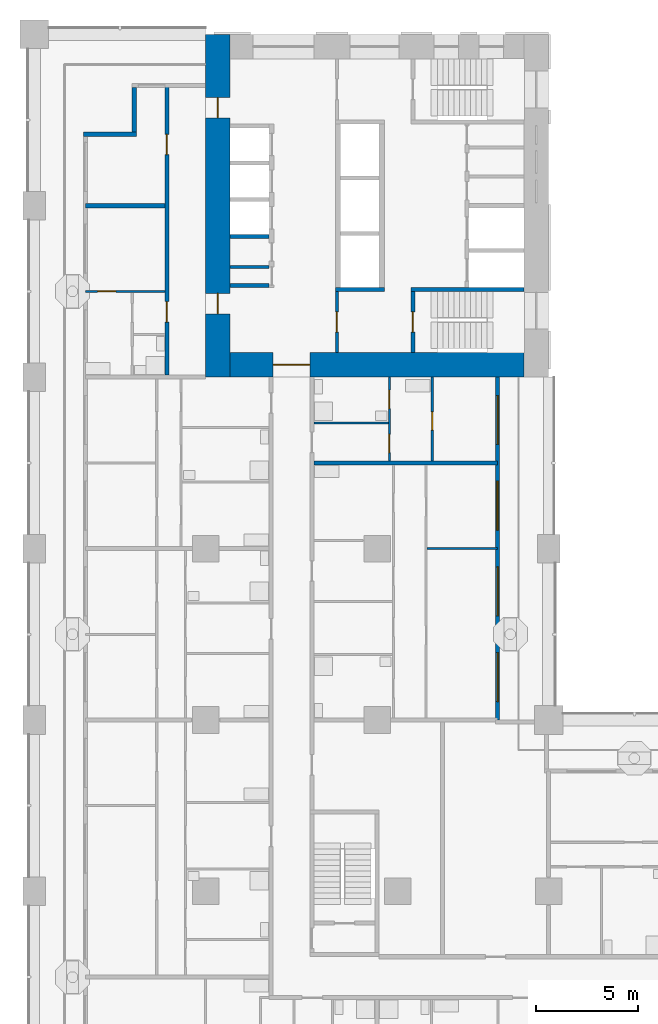
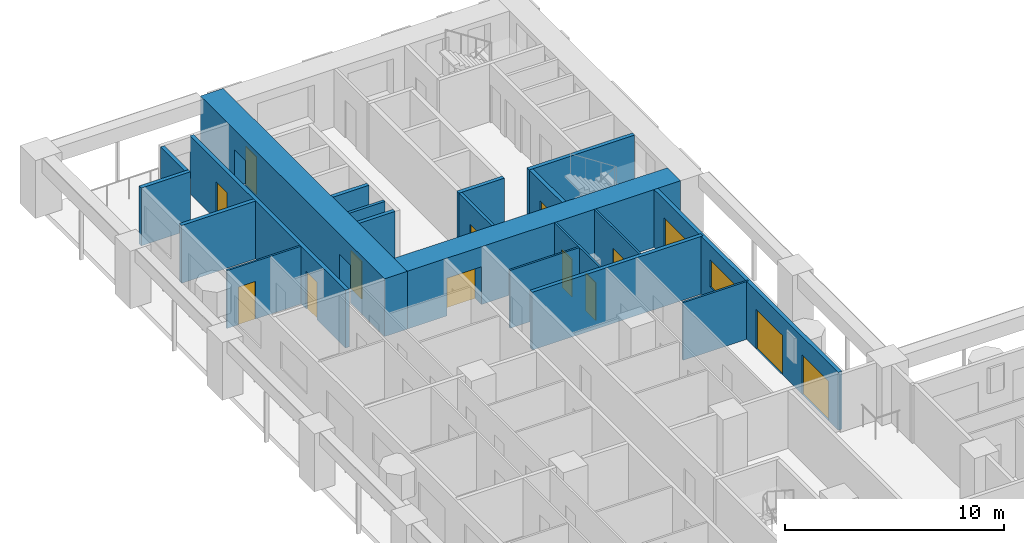
# One storey, part 9 of 22: 20 walls, 14 doors, 1 window, 15 openings.
"""IFC4 building model written with IfcOpenShell, lengths in metres."""

from ifc_helpers import new_model, si_unit, direction, frame, frame_2d, origin, place, context, subcontext, project, spatial, rectangle, extrude, material, layer, layer_set, type_object, element, fill, save


model = new_model("IFC4")

# Units and contexts
model_context = context("Model", 3, precision=1e-05, world=origin(), true_north=direction((0.0, 1.0)))
body_context = subcontext(model_context, "Body", "Model", "MODEL_VIEW")
ifc_project = project(units=[si_unit("LENGTHUNIT", "METRE"), si_unit("AREAUNIT", "SQUARE_METRE"), si_unit("VOLUMEUNIT", "CUBIC_METRE"), si_unit("PLANEANGLEUNIT", "RADIAN"), si_unit("MASSUNIT", "GRAM", prefix="KILO")], contexts=[model_context])

# Site, building, storey
site_placement = place(None, origin())
site = spatial("IfcSite", under=ifc_project, at=site_placement, CompositionType="ELEMENT")
building_placement = place(site_placement, origin())
building = spatial("IfcBuilding", under=site, at=building_placement, Name="Vermilion Gate Residences", CompositionType="ELEMENT")
storey_placement = place(building_placement, frame((0.0, 0.0, 56.699951171875)))
storey = spatial("IfcBuildingStorey", under=building, at=storey_placement, Name="L13", CompositionType="ELEMENT", Elevation=56.699951171875)

# Wall
ifc_material_1 = material(Name="Masonry blockwork", Category="masonry")
ifc_layer_1 = layer(ifc_material_1, 0.14990234375)
ifc_layer_set_1 = layer_set([ifc_layer_1], Name="BLOCKWORK PARTITION 150 EI 120")
wall_type_1 = type_object("IfcWallType", Name="BLOCKWORK PARTITION 150 EI 120", PredefinedType="PARTITIONING", material=ifc_layer_set_1)
wall_1_placement = place(storey_placement, frame((9.60009765625, 47.392578125, 0.0), z_axis=(0.0, 0.0, 1.0), x_axis=(1.0, 0.0, 0.0)))
element("IfcWall", 1, at=wall_1_placement, inside=storey, type_object=wall_type_1, Name="Core room partition B13-SR-P0", PredefinedType="PARTITIONING", context=body_context, shape_type="SweptSolid", body=[
    extrude(rectangle(XDim=1.89990234375, YDim=0.14990234375, at=frame_2d((0.949951171875, 0.0))), origin(), (0.0, 0.0, 1.0), 3.219970703125),
])

# Wall, opening, door
wall_2_placement = place(storey_placement, frame((14.824951171875, 46.199951171875, 0.0), z_axis=(0.0, 0.0, 1.0), x_axis=(0.0, -1.0, 0.0)))
wall_2 = element("IfcWall", 2, at=wall_2_placement, inside=storey, type_object=wall_type_1, Name="Core room partition B13-VE-S", PredefinedType="PARTITIONING", context=body_context, shape_type="SweptSolid", body=[
    extrude(rectangle(XDim=3.0, YDim=0.14990234375, at=frame_2d((1.5, 0.0))), origin(), (0.0, 0.0, 1.0), 3.219970703125),
])
opening_1_placement = place(wall_2_placement, frame((1.0, 0.0, 0.0)))
opening_1 = element("IfcOpeningElement", 3, at=opening_1_placement, cuts=wall_2, Name="Opening DK13116", PredefinedType="OPENING", context=body_context, shape_type="SweptSolid", body=[
    extrude(rectangle(XDim=1.0, YDim=2.10009765625, at=frame_2d((0.5, 1.050048828125))), frame((0.0, 0.0849609375, 0.0), z_axis=(0.0, -1.0, 0.0), x_axis=(1.0, 0.0, 0.0)), (0.0, 0.0, 1.0), 0.169921875),
])
ifc_material_2 = material(Name="Steel", Category="steel")
door_type_1 = type_object("IfcDoorType", Name="FIRE DOOR FD60 1000 X 2100", OperationType="SINGLE_SWING_LEFT", PredefinedType="DOOR", material=ifc_material_2)
door_1_placement = place(opening_1_placement, frame((1.0, 0.0, 0.0), z_axis=(0.0, 0.0, 1.0), x_axis=(-1.0, 0.0, 0.0)))
door_1 = element("IfcDoor", 4, at=door_1_placement, inside=storey, type_object=door_type_1, Name="Stair vestibule door B13", OperationType="SINGLE_SWING_LEFT", OverallHeight=2.10009765625, OverallWidth=1.0, PredefinedType="DOOR", context=body_context, shape_type="SweptSolid", body=[
    extrude(rectangle(XDim=1.0, YDim=2.10009765625, at=frame_2d((0.5, 1.050048828125))), frame((0.0, 0.02490234375, 0.0), z_axis=(0.0, -1.0, 0.0), x_axis=(1.0, 0.0, 0.0)), (0.0, 0.0, 1.0), 0.050048828125),
])
fill(opening_1, door_1)

# Walls
ifc_material_3 = material(Name="Insulated steel stud wall with terracotta rainscreen", Category="masonry")
ifc_layer_2 = layer(ifc_material_3, 0.199951171875)
ifc_layer_set_2 = layer_set([ifc_layer_2], Name="EXTERNAL WALL 200 TERRACOTTA RAINSCREEN")
wall_type_2 = type_object("IfcWallType", Name="EXTERNAL WALL 200 TERRACOTTA RAINSCREEN", PredefinedType="SOLIDWALL", material=ifc_layer_set_2)
wall_3_placement = place(storey_placement, frame((4.89990234375, 56.199951171875, 0.0), z_axis=(0.0, 0.0, 1.0), x_axis=(0.0, -1.0, 0.0)))
element("IfcWall", 5, at=wall_3_placement, inside=storey, type_object=wall_type_2, Name="External wall", PredefinedType="SOLIDWALL", context=body_context, shape_type="SweptSolid", body=[
    extrude(rectangle(XDim=2.199951171875, YDim=0.199951171875, at=frame_2d((1.10009765625, 0.0))), origin(), (0.0, 0.0, 1.0), 3.219970703125),
])
wall_4_placement = place(storey_placement, frame((5.0, 53.89990234375, 0.0), z_axis=(0.0, 0.0, 1.0), x_axis=(-1.0, 0.0, 0.0)))
element("IfcWall", 6, at=wall_4_placement, inside=storey, type_object=wall_type_2, Name="External wall", PredefinedType="SOLIDWALL", context=body_context, shape_type="SweptSolid", body=[
    extrude(rectangle(XDim=2.60009765625, YDim=0.199951171875, at=frame_2d((1.300048828125, 0.0))), origin(), (0.0, 0.0, 1.0), 3.219970703125),
])

# Wall, openings, doors, window
wall_5_placement = place(storey_placement, frame((22.699951171875, 25.199951171875, 0.0), z_axis=(0.0, 0.0, 1.0), x_axis=(0.0, 1.0, 0.0)))
wall_5 = element("IfcWall", 7, at=wall_5_placement, inside=storey, type_object=wall_type_2, Name="External wall", PredefinedType="SOLIDWALL", context=body_context, shape_type="SweptSolid", body=[
    extrude(rectangle(XDim=16.800048828125, YDim=0.199951171875, at=frame_2d((8.39990234375, 0.0))), origin(), (0.0, 0.0, 1.0), 3.219970703125),
])
opening_2_placement = place(wall_5_placement, frame((0.89990234375, 0.0, 0.0)))
opening_2 = element("IfcOpeningElement", 8, at=opening_2_placement, cuts=wall_5, Name="Opening DE13037", PredefinedType="OPENING", context=body_context, shape_type="SweptSolid", body=[
    extrude(rectangle(XDim=2.39990234375, YDim=2.199951171875, at=frame_2d((1.199951171875, 1.10009765625))), frame((0.0, 0.10986328125, 0.0), z_axis=(0.0, -1.0, 0.0), x_axis=(1.0, 0.0, 0.0)), (0.0, 0.0, 1.0), 0.219970703125),
])
opening_3_placement = place(wall_5_placement, frame((5.10009765625, 0.0, 0.0)))
opening_3 = element("IfcOpeningElement", 9, at=opening_3_placement, cuts=wall_5, Name="Opening DE13038", PredefinedType="OPENING", context=body_context, shape_type="SweptSolid", body=[
    extrude(rectangle(XDim=2.39990234375, YDim=2.199951171875, at=frame_2d((1.199951171875, 1.10009765625))), frame((0.0, 0.10986328125, 0.0), z_axis=(0.0, -1.0, 0.0), x_axis=(1.0, 0.0, 0.0)), (0.0, 0.0, 1.0), 0.219970703125),
])
opening_4_placement = place(wall_5_placement, frame((9.300048828125, 0.0, 0.89990234375)))
opening_4 = element("IfcOpeningElement", 10, at=opening_4_placement, cuts=wall_5, Name="Opening WE13039", PredefinedType="OPENING", context=body_context, shape_type="SweptSolid", body=[
    extrude(rectangle(XDim=2.39990234375, YDim=1.5, at=frame_2d((1.199951171875, 0.75))), frame((0.0, 0.10986328125, 0.0), z_axis=(0.0, -1.0, 0.0), x_axis=(1.0, 0.0, 0.0)), (0.0, 0.0, 1.0), 0.219970703125),
])
opening_5_placement = place(wall_5_placement, frame((13.5, 0.0, 0.0)))
opening_5 = element("IfcOpeningElement", 11, at=opening_5_placement, cuts=wall_5, Name="Opening DE13040", PredefinedType="OPENING", context=body_context, shape_type="SweptSolid", body=[
    extrude(rectangle(XDim=2.39990234375, YDim=2.199951171875, at=frame_2d((1.199951171875, 1.10009765625))), frame((0.0, 0.10986328125, 0.0), z_axis=(0.0, -1.0, 0.0), x_axis=(1.0, 0.0, 0.0)), (0.0, 0.0, 1.0), 0.219970703125),
])
ifc_material_4 = material(Name="Aluminium and clear glass", Category="aluminium")
door_type_2 = type_object("IfcDoorType", Name="SLIDING GLAZED DOOR 2400 X 2200", OperationType="DOUBLE_DOOR_SLIDING", PredefinedType="DOOR", material=ifc_material_4)
door_2_placement = place(opening_2_placement, origin())
door_2 = element("IfcDoor", 12, at=door_2_placement, inside=storey, type_object=door_type_2, Name="Loggia sliding door", OperationType="DOUBLE_DOOR_SLIDING", OverallHeight=2.199951171875, OverallWidth=2.39990234375, PredefinedType="DOOR", context=body_context, shape_type="SweptSolid", body=[
    extrude(rectangle(XDim=2.39990234375, YDim=2.199951171875, at=frame_2d((1.199951171875, 1.10009765625))), frame((0.0, 0.02490234375, 0.0), z_axis=(0.0, -1.0, 0.0), x_axis=(1.0, 0.0, 0.0)), (0.0, 0.0, 1.0), 0.050048828125),
])
fill(opening_2, door_2)
door_3_placement = place(opening_3_placement, origin())
door_3 = element("IfcDoor", 13, at=door_3_placement, inside=storey, type_object=door_type_2, Name="Loggia sliding door", OperationType="DOUBLE_DOOR_SLIDING", OverallHeight=2.199951171875, OverallWidth=2.39990234375, PredefinedType="DOOR", context=body_context, shape_type="SweptSolid", body=[
    extrude(rectangle(XDim=2.39990234375, YDim=2.199951171875, at=frame_2d((1.199951171875, 1.10009765625))), frame((0.0, 0.02490234375, 0.0), z_axis=(0.0, -1.0, 0.0), x_axis=(1.0, 0.0, 0.0)), (0.0, 0.0, 1.0), 0.050048828125),
])
fill(opening_3, door_3)
door_4_placement = place(opening_5_placement, origin())
door_4 = element("IfcDoor", 14, at=door_4_placement, inside=storey, type_object=door_type_2, Name="Loggia sliding door", OperationType="DOUBLE_DOOR_SLIDING", OverallHeight=2.199951171875, OverallWidth=2.39990234375, PredefinedType="DOOR", context=body_context, shape_type="SweptSolid", body=[
    extrude(rectangle(XDim=2.39990234375, YDim=2.199951171875, at=frame_2d((1.199951171875, 1.10009765625))), frame((0.0, 0.02490234375, 0.0), z_axis=(0.0, -1.0, 0.0), x_axis=(1.0, 0.0, 0.0)), (0.0, 0.0, 1.0), 0.050048828125),
])
fill(opening_5, door_4)
ifc_material_5 = material(Name="Aluminium and clear glass", Category="aluminium")
window_type = type_object("IfcWindowType", Name="WINDOW 2400 X 1500", PartitioningType="SINGLE_PANEL", PredefinedType="WINDOW", material=ifc_material_5)
window_placement = place(opening_4_placement, origin())
window = element("IfcWindow", 15, at=window_placement, inside=storey, type_object=window_type, Name="Window", OverallHeight=1.5, OverallWidth=2.39990234375, PartitioningType="SINGLE_PANEL", PredefinedType="WINDOW", context=body_context, shape_type="SweptSolid", body=[
    extrude(rectangle(XDim=2.39990234375, YDim=1.5, at=frame_2d((1.199951171875, 0.75))), frame((0.0, 0.030029296875, 0.0), z_axis=(0.0, -1.0, 0.0), x_axis=(1.0, 0.0, 0.0)), (0.0, 0.0, 1.0), 0.06005859375),
])
fill(opening_4, window)

# Walls
ifc_material_6 = material(Name="Plasterboard on steel studs", Category="steel")
ifc_layer_3 = layer(ifc_material_6, 0.10009765625)
ifc_layer_set_3 = layer_set([ifc_layer_3], Name="PARTITION 100")
wall_type_3 = type_object("IfcWallType", Name="PARTITION 100", PredefinedType="PARTITIONING", material=ifc_layer_set_3)
wall_6_placement = place(storey_placement, frame((19.25, 33.60009765625, 0.0), z_axis=(0.0, 0.0, 1.0), x_axis=(1.0, 0.0, 0.0)))
element("IfcWall", 16, at=wall_6_placement, inside=storey, type_object=wall_type_3, Name="Partition", PredefinedType="PARTITIONING", context=body_context, shape_type="SweptSolid", body=[
    extrude(rectangle(XDim=3.449951171875, YDim=0.10009765625, at=frame_2d((1.72509765625, 0.0))), origin(), (0.0, 0.0, 1.0), 3.219970703125),
])
wall_7_placement = place(storey_placement, frame((13.699951171875, 39.760009765625, 0.0), z_axis=(0.0, 0.0, 1.0), x_axis=(1.0, 0.0, 0.0)))
element("IfcWall", 17, at=wall_7_placement, inside=storey, type_object=wall_type_3, Name="Partition", PredefinedType="PARTITIONING", context=body_context, shape_type="SweptSolid", body=[
    extrude(rectangle(XDim=3.650146484375, YDim=0.10009765625, at=frame_2d((1.8251953125, 0.0))), origin(), (0.0, 0.0, 1.0), 3.219970703125),
])

# Wall, opening, door
wall_8_placement = place(storey_placement, frame((2.5, 46.199951171875, 0.0), z_axis=(0.0, 0.0, 1.0), x_axis=(1.0, 0.0, 0.0)))
wall_8 = element("IfcWall", 18, at=wall_8_placement, inside=storey, type_object=wall_type_3, Name="Partition", PredefinedType="PARTITIONING", context=body_context, shape_type="SweptSolid", body=[
    extrude(rectangle(XDim=3.89990234375, YDim=0.10009765625, at=frame_2d((1.949951171875, 0.0))), origin(), (0.0, 0.0, 1.0), 3.219970703125),
])
opening_6_placement = place(wall_8_placement, frame((0.60009765625, 0.0, 0.0)))
opening_6 = element("IfcOpeningElement", 19, at=opening_6_placement, cuts=wall_8, Name="Opening DA13044", PredefinedType="OPENING", context=body_context, shape_type="SweptSolid", body=[
    extrude(rectangle(XDim=0.89990234375, YDim=2.10009765625, at=frame_2d((0.449951171875, 1.050048828125))), frame((0.0, 0.06005859375, 0.0), z_axis=(0.0, -1.0, 0.0), x_axis=(1.0, 0.0, 0.0)), (0.0, 0.0, 1.0), 0.1201171875),
])
ifc_material_7 = material(Name="Timber", Category="wood")
door_type_3 = type_object("IfcDoorType", Name="INTERIOR DOOR 900 X 2100", OperationType="SINGLE_SWING_LEFT", PredefinedType="DOOR", material=ifc_material_7)
door_5_placement = place(opening_6_placement, frame((0.89990234375, 0.0, 0.0), z_axis=(0.0, 0.0, 1.0), x_axis=(-1.0, 0.0, 0.0)))
door_5 = element("IfcDoor", 20, at=door_5_placement, inside=storey, type_object=door_type_3, Name="Interior door", OperationType="SINGLE_SWING_RIGHT", OverallHeight=2.10009765625, OverallWidth=0.89990234375, PredefinedType="DOOR", context=body_context, shape_type="SweptSolid", body=[
    extrude(rectangle(XDim=0.89990234375, YDim=2.10009765625, at=frame_2d((0.449951171875, 1.050048828125))), frame((0.0, 0.02490234375, 0.0), z_axis=(0.0, -1.0, 0.0), x_axis=(1.0, 0.0, 0.0)), (0.0, 0.0, 1.0), 0.050048828125),
])
fill(opening_6, door_5)

# Wall, openings, doors
wall_9_placement = place(storey_placement, frame((17.39990234375, 37.89990234375, 0.0), z_axis=(0.0, 0.0, 1.0), x_axis=(0.0, 1.0, 0.0)))
wall_9 = element("IfcWall", 21, at=wall_9_placement, inside=storey, type_object=wall_type_3, Name="Partition", PredefinedType="PARTITIONING", context=body_context, shape_type="SweptSolid", body=[
    extrude(rectangle(XDim=4.10009765625, YDim=0.10009765625, at=frame_2d((2.050048828125, 0.0))), origin(), (0.0, 0.0, 1.0), 3.219970703125),
])
opening_7_placement = place(wall_9_placement, frame((0.39990234375, 0.0, 0.0)))
opening_7 = element("IfcOpeningElement", 22, at=opening_7_placement, cuts=wall_9, Name="Opening DA13072", PredefinedType="OPENING", context=body_context, shape_type="SweptSolid", body=[
    extrude(rectangle(XDim=0.89990234375, YDim=2.10009765625, at=frame_2d((0.449951171875, 1.050048828125))), frame((0.0, 0.06005859375, 0.0), z_axis=(0.0, -1.0, 0.0), x_axis=(1.0, 0.0, 0.0)), (0.0, 0.0, 1.0), 0.1201171875),
])
opening_8_placement = place(wall_9_placement, frame((2.56005859375, 0.0, 0.0)))
opening_8 = element("IfcOpeningElement", 23, at=opening_8_placement, cuts=wall_9, Name="Opening DA13073", PredefinedType="OPENING", context=body_context, shape_type="SweptSolid", body=[
    extrude(rectangle(XDim=0.89990234375, YDim=2.10009765625, at=frame_2d((0.449951171875, 1.050048828125))), frame((0.0, 0.06005859375, 0.0), z_axis=(0.0, -1.0, 0.0), x_axis=(1.0, 0.0, 0.0)), (0.0, 0.0, 1.0), 0.1201171875),
])
door_6_placement = place(opening_7_placement, frame((0.89990234375, 0.0, 0.0), z_axis=(0.0, 0.0, 1.0), x_axis=(-1.0, 0.0, 0.0)))
door_6 = element("IfcDoor", 24, at=door_6_placement, inside=storey, type_object=door_type_3, Name="Interior door", OperationType="SINGLE_SWING_RIGHT", OverallHeight=2.10009765625, OverallWidth=0.89990234375, PredefinedType="DOOR", context=body_context, shape_type="SweptSolid", body=[
    extrude(rectangle(XDim=0.89990234375, YDim=2.10009765625, at=frame_2d((0.449951171875, 1.050048828125))), frame((0.0, 0.02490234375, 0.0), z_axis=(0.0, -1.0, 0.0), x_axis=(1.0, 0.0, 0.0)), (0.0, 0.0, 1.0), 0.050048828125),
])
fill(opening_7, door_6)
door_7_placement = place(opening_8_placement, origin())
door_7 = element("IfcDoor", 25, at=door_7_placement, inside=storey, type_object=door_type_3, Name="Interior door", OperationType="SINGLE_SWING_LEFT", OverallHeight=2.10009765625, OverallWidth=0.89990234375, PredefinedType="DOOR", context=body_context, shape_type="SweptSolid", body=[
    extrude(rectangle(XDim=0.89990234375, YDim=2.10009765625, at=frame_2d((0.449951171875, 1.050048828125))), frame((0.0, 0.02490234375, 0.0), z_axis=(0.0, -1.0, 0.0), x_axis=(1.0, 0.0, 0.0)), (0.0, 0.0, 1.0), 0.050048828125),
])
fill(opening_8, door_7)

# Wall, opening, door
wall_10_placement = place(storey_placement, frame((19.5, 37.89990234375, 0.0), z_axis=(0.0, 0.0, 1.0), x_axis=(0.0, 1.0, 0.0)))
wall_10 = element("IfcWall", 26, at=wall_10_placement, inside=storey, type_object=wall_type_3, Name="Partition", PredefinedType="PARTITIONING", context=body_context, shape_type="SweptSolid", body=[
    extrude(rectangle(XDim=4.10009765625, YDim=0.10009765625, at=frame_2d((2.050048828125, 0.0))), origin(), (0.0, 0.0, 1.0), 3.219970703125),
])
opening_9_placement = place(wall_10_placement, frame((1.5, 0.0, 0.0)))
opening_9 = element("IfcOpeningElement", 27, at=opening_9_placement, cuts=wall_10, Name="Opening DA13080", PredefinedType="OPENING", context=body_context, shape_type="SweptSolid", body=[
    extrude(rectangle(XDim=0.89990234375, YDim=2.10009765625, at=frame_2d((0.449951171875, 1.050048828125))), frame((0.0, 0.06005859375, 0.0), z_axis=(0.0, -1.0, 0.0), x_axis=(1.0, 0.0, 0.0)), (0.0, 0.0, 1.0), 0.1201171875),
])
door_8_placement = place(opening_9_placement, origin())
door_8 = element("IfcDoor", 28, at=door_8_placement, inside=storey, type_object=door_type_3, Name="Interior door", OperationType="SINGLE_SWING_RIGHT", OverallHeight=2.10009765625, OverallWidth=0.89990234375, PredefinedType="DOOR", context=body_context, shape_type="SweptSolid", body=[
    extrude(rectangle(XDim=0.89990234375, YDim=2.10009765625, at=frame_2d((0.449951171875, 1.050048828125))), frame((0.0, 0.02490234375, 0.0), z_axis=(0.0, -1.0, 0.0), x_axis=(1.0, 0.0, 0.0)), (0.0, 0.0, 1.0), 0.050048828125),
])
fill(opening_9, door_8)

# Walls
ifc_material_8 = material(Name="Fire-rated plasterboard on steel studs", Category="steel")
ifc_layer_4 = layer(ifc_material_8, 0.199951171875)
ifc_layer_set_4 = layer_set([ifc_layer_4], Name="PARTY WALL 200 EI 120")
wall_type_4 = type_object("IfcWallType", Name="PARTY WALL 200 EI 120", PredefinedType="PARTITIONING", material=ifc_layer_set_4)
wall_11_placement = place(storey_placement, frame((13.699951171875, 37.800048828125, 0.0), z_axis=(0.0, 0.0, 1.0), x_axis=(1.0, 0.0, 0.0)))
element("IfcWall", 29, at=wall_11_placement, inside=storey, type_object=wall_type_4, Name="Party and corridor wall", PredefinedType="PARTITIONING", context=body_context, shape_type="SweptSolid", body=[
    extrude(rectangle(XDim=9.0, YDim=0.199951171875, at=frame_2d((4.5, 0.0))), origin(), (0.0, 0.0, 1.0), 3.219970703125),
])
wall_12_placement = place(storey_placement, frame((2.5, 50.39990234375, 0.0), z_axis=(0.0, 0.0, 1.0), x_axis=(1.0, 0.0, 0.0)))
element("IfcWall", 30, at=wall_12_placement, inside=storey, type_object=wall_type_4, Name="Party and corridor wall", PredefinedType="PARTITIONING", context=body_context, shape_type="SweptSolid", body=[
    extrude(rectangle(XDim=3.89990234375, YDim=0.199951171875, at=frame_2d((1.949951171875, 0.0))), origin(), (0.0, 0.0, 1.0), 3.219970703125),
])

# Wall, openings, doors
wall_13_placement = place(storey_placement, frame((6.5, 42.10009765625, 0.0), z_axis=(0.0, 0.0, 1.0), x_axis=(0.0, 1.0, 0.0)))
wall_13 = element("IfcWall", 31, at=wall_13_placement, inside=storey, type_object=wall_type_4, Name="Party and corridor wall", PredefinedType="PARTITIONING", context=body_context, shape_type="SweptSolid", body=[
    extrude(rectangle(XDim=14.199951171875, YDim=0.199951171875, at=frame_2d((7.10009765625, 0.0))), origin(), (0.0, 0.0, 1.0), 3.219970703125),
])
opening_10_placement = place(wall_13_placement, frame((2.60009765625, 0.0, 0.0)))
opening_10 = element("IfcOpeningElement", 32, at=opening_10_placement, cuts=wall_13, Name="Opening DA13053", PredefinedType="OPENING", context=body_context, shape_type="SweptSolid", body=[
    extrude(rectangle(XDim=1.0, YDim=2.10009765625, at=frame_2d((0.5, 1.050048828125))), frame((0.0, 0.10986328125, 0.0), z_axis=(0.0, -1.0, 0.0), x_axis=(1.0, 0.0, 0.0)), (0.0, 0.0, 1.0), 0.219970703125),
])
opening_11_placement = place(wall_13_placement, frame((10.800048828125, 0.0, 0.0)))
opening_11 = element("IfcOpeningElement", 33, at=opening_11_placement, cuts=wall_13, Name="Opening DA13054", PredefinedType="OPENING", context=body_context, shape_type="SweptSolid", body=[
    extrude(rectangle(XDim=1.0, YDim=2.10009765625, at=frame_2d((0.5, 1.050048828125))), frame((0.0, 0.10986328125, 0.0), z_axis=(0.0, -1.0, 0.0), x_axis=(1.0, 0.0, 0.0)), (0.0, 0.0, 1.0), 0.219970703125),
])
ifc_material_9 = material(Name="Steel", Category="steel")
door_type_4 = type_object("IfcDoorType", Name="ENTRANCE DOOR 1000 X 2100 FD30", OperationType="SINGLE_SWING_LEFT", PredefinedType="DOOR", material=ifc_material_9)
door_9_placement = place(opening_10_placement, origin())
door_9 = element("IfcDoor", 34, at=door_9_placement, inside=storey, type_object=door_type_4, Name="Entrance door", OperationType="SINGLE_SWING_RIGHT", OverallHeight=2.10009765625, OverallWidth=1.0, PredefinedType="DOOR", context=body_context, shape_type="SweptSolid", body=[
    extrude(rectangle(XDim=1.0, YDim=2.10009765625, at=frame_2d((0.5, 1.050048828125))), frame((0.0, 0.02490234375, 0.0), z_axis=(0.0, -1.0, 0.0), x_axis=(1.0, 0.0, 0.0)), (0.0, 0.0, 1.0), 0.050048828125),
])
fill(opening_10, door_9)
door_10_placement = place(opening_11_placement, origin())
door_10 = element("IfcDoor", 35, at=door_10_placement, inside=storey, type_object=door_type_4, Name="Entrance door", OperationType="SINGLE_SWING_RIGHT", OverallHeight=2.10009765625, OverallWidth=1.0, PredefinedType="DOOR", context=body_context, shape_type="SweptSolid", body=[
    extrude(rectangle(XDim=1.0, YDim=2.10009765625, at=frame_2d((0.5, 1.050048828125))), frame((0.0, 0.02490234375, 0.0), z_axis=(0.0, -1.0, 0.0), x_axis=(1.0, 0.0, 0.0)), (0.0, 0.0, 1.0), 0.050048828125),
])
fill(opening_11, door_10)

# Walls
ifc_material_10 = material(Name="Concrete C60", Category="concrete")
ifc_layer_5 = layer(ifc_material_10, 0.199951171875)
ifc_layer_set_5 = layer_set([ifc_layer_5], Name="RC CORE INTERNAL WALL 200 C60")
wall_type_5 = type_object("IfcWallType", Name="RC CORE INTERNAL WALL 200 C60", PredefinedType="SHEAR", material=ifc_layer_set_5)
for number, where, z_axis, x_axis, name in (
    (36, (9.60009765625, 48.89990234375, 0.0), (0.0, 0.0, 1.0), (1.0, 0.0, 0.0), "Core internal wall B13-LR-D3"),
    (37, (9.60009765625, 46.5, 0.0), (0.0, 0.0, 1.0), (1.0, 0.0, 0.0), "Core internal wall B13-LR-DE"),
):
    element("IfcWall", number, at=place(storey_placement, frame(where, z_axis=z_axis, x_axis=x_axis)), inside=storey, type_object=wall_type_5, Name=name, PredefinedType="SHEAR", context=body_context, shape_type="SweptSolid", body=[
        extrude(rectangle(XDim=1.89990234375, YDim=0.199951171875, at=frame_2d((0.949951171875, 0.0))), origin(), (0.0, 0.0, 1.0), 3.219970703125),
    ])
wall_14_placement = place(storey_placement, frame((14.75, 46.300048828125, 0.0), z_axis=(0.0, 0.0, 1.0), x_axis=(1.0, 0.0, 0.0)))
element("IfcWall", 38, at=wall_14_placement, inside=storey, type_object=wall_type_5, Name="Core internal wall B13-EDIV1", PredefinedType="SHEAR", context=body_context, shape_type="SweptSolid", body=[
    extrude(rectangle(XDim=2.39990234375, YDim=0.199951171875, at=frame_2d((1.199951171875, 0.0))), origin(), (0.0, 0.0, 1.0), 3.219970703125),
])
wall_15_placement = place(storey_placement, frame((18.449951171875, 46.300048828125, 0.0), z_axis=(0.0, 0.0, 1.0), x_axis=(1.0, 0.0, 0.0)))
element("IfcWall", 39, at=wall_15_placement, inside=storey, type_object=wall_type_5, Name="Core internal wall B13-EDIV2", PredefinedType="SHEAR", context=body_context, shape_type="SweptSolid", body=[
    extrude(rectangle(XDim=5.550048828125, YDim=0.199951171875, at=frame_2d((2.77490234375, 0.0))), origin(), (0.0, 0.0, 1.0), 3.219970703125),
])

# Wall, opening, door
wall_16_placement = place(storey_placement, frame((18.550048828125, 46.199951171875, 0.0), z_axis=(0.0, 0.0, 1.0), x_axis=(0.0, -1.0, 0.0)))
wall_16 = element("IfcWall", 40, at=wall_16_placement, inside=storey, type_object=wall_type_5, Name="Core internal wall B13-STE-S", PredefinedType="SHEAR", context=body_context, shape_type="SweptSolid", body=[
    extrude(rectangle(XDim=3.0, YDim=0.199951171875, at=frame_2d((1.5, 0.0))), origin(), (0.0, 0.0, 1.0), 3.219970703125),
])
opening_12_placement = place(wall_16_placement, frame((1.0, 0.0, 0.0)))
opening_12 = element("IfcOpeningElement", 41, at=opening_12_placement, cuts=wall_16, Name="Opening DK13117", PredefinedType="OPENING", context=body_context, shape_type="SweptSolid", body=[
    extrude(rectangle(XDim=1.0, YDim=2.10009765625, at=frame_2d((0.5, 1.050048828125))), frame((0.0, 0.10986328125, 0.0), z_axis=(0.0, -1.0, 0.0), x_axis=(1.0, 0.0, 0.0)), (0.0, 0.0, 1.0), 0.219970703125),
])
door_11_placement = place(opening_12_placement, origin())
door_11 = element("IfcDoor", 42, at=door_11_placement, inside=storey, type_object=door_type_1, Name="Stair door B13", OperationType="SINGLE_SWING_LEFT", OverallHeight=2.10009765625, OverallWidth=1.0, PredefinedType="DOOR", context=body_context, shape_type="SweptSolid", body=[
    extrude(rectangle(XDim=1.0, YDim=2.10009765625, at=frame_2d((0.5, 1.050048828125))), frame((0.0, 0.02490234375, 0.0), z_axis=(0.0, -1.0, 0.0), x_axis=(1.0, 0.0, 0.0)), (0.0, 0.0, 1.0), 0.050048828125),
])
fill(opening_12, door_11)

# Wall, openings, doors
ifc_material_11 = material(Name="Concrete C80", Category="concrete")
ifc_layer_6 = layer(ifc_material_11, 1.199951171875)
ifc_layer_set_6 = layer_set([ifc_layer_6], Name="RC CORE WALL 1200 C80")
wall_type_6 = type_object("IfcWallType", Name="RC CORE WALL 1200 C80", PredefinedType="SHEAR", material=ifc_layer_set_6)
wall_17_placement = place(storey_placement, frame((9.0, 58.800048828125, 0.0), z_axis=(0.0, 0.0, 1.0), x_axis=(0.0, -1.0, 0.0)))
wall_17 = element("IfcWall", 43, at=wall_17_placement, inside=storey, type_object=wall_type_6, Name="Core wall B13-OUT-B0", PredefinedType="SHEAR", context=body_context, shape_type="SweptSolid", body=[
    extrude(rectangle(XDim=16.800048828125, YDim=1.199951171875, at=frame_2d((8.39990234375, 0.0))), origin(), (0.0, 0.0, 1.0), 3.219970703125),
])
opening_13_placement = place(wall_17_placement, frame((3.10009765625, 0.0, 0.0)))
opening_13 = element("IfcOpeningElement", 44, at=opening_13_placement, cuts=wall_17, Name="Opening DK13101", PredefinedType="OPENING", context=body_context, shape_type="SweptSolid", body=[
    extrude(rectangle(XDim=1.0, YDim=2.10009765625, at=frame_2d((0.5, 1.050048828125))), frame((0.0, 0.60986328125, 0.0), z_axis=(0.0, -1.0, 0.0), x_axis=(1.0, 0.0, 0.0)), (0.0, 0.0, 1.0), 1.219970703125),
])
opening_14_placement = place(wall_17_placement, frame((12.699951171875, 0.0, 0.0)))
opening_14 = element("IfcOpeningElement", 45, at=opening_14_placement, cuts=wall_17, Name="Opening DK13102", PredefinedType="OPENING", context=body_context, shape_type="SweptSolid", body=[
    extrude(rectangle(XDim=1.0, YDim=2.10009765625, at=frame_2d((0.5, 1.050048828125))), frame((0.0, 0.60986328125, 0.0), z_axis=(0.0, -1.0, 0.0), x_axis=(1.0, 0.0, 0.0)), (0.0, 0.0, 1.0), 1.219970703125),
])
door_12_placement = place(opening_13_placement, origin())
door_12 = element("IfcDoor", 46, at=door_12_placement, inside=storey, type_object=door_type_1, Name="Core lobby side door B13", OperationType="SINGLE_SWING_RIGHT", OverallHeight=2.10009765625, OverallWidth=1.0, PredefinedType="DOOR", context=body_context, shape_type="SweptSolid", body=[
    extrude(rectangle(XDim=1.0, YDim=2.10009765625, at=frame_2d((0.5, 1.050048828125))), frame((0.0, 0.02490234375, 0.0), z_axis=(0.0, -1.0, 0.0), x_axis=(1.0, 0.0, 0.0)), (0.0, 0.0, 1.0), 0.050048828125),
])
fill(opening_13, door_12)
door_13_placement = place(opening_14_placement, origin())
door_13 = element("IfcDoor", 47, at=door_13_placement, inside=storey, type_object=door_type_1, Name="Core lobby side door B13", OperationType="SINGLE_SWING_LEFT", OverallHeight=2.10009765625, OverallWidth=1.0, PredefinedType="DOOR", context=body_context, shape_type="SweptSolid", body=[
    extrude(rectangle(XDim=1.0, YDim=2.10009765625, at=frame_2d((0.5, 1.050048828125))), frame((0.0, 0.02490234375, 0.0), z_axis=(0.0, -1.0, 0.0), x_axis=(1.0, 0.0, 0.0)), (0.0, 0.0, 1.0), 0.050048828125),
])
fill(opening_14, door_13)

# Wall, opening, door
wall_18_placement = place(storey_placement, frame((9.60009765625, 42.60009765625, 0.0), z_axis=(0.0, 0.0, 1.0), x_axis=(1.0, 0.0, 0.0)))
wall_18 = element("IfcWall", 48, at=wall_18_placement, inside=storey, type_object=wall_type_6, Name="Core wall B13-OUT-BK", PredefinedType="SHEAR", context=body_context, shape_type="SweptSolid", body=[
    extrude(rectangle(XDim=14.39990234375, YDim=1.199951171875, at=frame_2d((7.199951171875, 0.0))), origin(), (0.0, 0.0, 1.0), 3.219970703125),
])
opening_15_placement = place(wall_18_placement, frame((2.10009765625, 0.0, 0.0)))
opening_15 = element("IfcOpeningElement", 49, at=opening_15_placement, cuts=wall_18, Name="Opening DK13103", PredefinedType="OPENING", context=body_context, shape_type="SweptSolid", body=[
    extrude(rectangle(XDim=1.800048828125, YDim=2.10009765625, at=frame_2d((0.89990234375, 1.050048828125))), frame((0.0, 0.60986328125, 0.0), z_axis=(0.0, -1.0, 0.0), x_axis=(1.0, 0.0, 0.0)), (0.0, 0.0, 1.0), 1.219970703125),
])
ifc_material_12 = material(Name="Steel", Category="steel")
door_type_5 = type_object("IfcDoorType", Name="CORE LOBBY DOOR FD60 1800 X 2100", OperationType="DOUBLE_DOOR_SINGLE_SWING", PredefinedType="DOOR", material=ifc_material_12)
door_14_placement = place(opening_15_placement, origin())
door_14 = element("IfcDoor", 50, at=door_14_placement, inside=storey, type_object=door_type_5, Name="Core lobby door B13", OperationType="DOUBLE_DOOR_SINGLE_SWING", OverallHeight=2.10009765625, OverallWidth=1.800048828125, PredefinedType="DOOR", context=body_context, shape_type="SweptSolid", body=[
    extrude(rectangle(XDim=1.800048828125, YDim=2.10009765625, at=frame_2d((0.89990234375, 1.050048828125))), frame((0.0, 0.02490234375, 0.0), z_axis=(0.0, -1.0, 0.0), x_axis=(1.0, 0.0, 0.0)), (0.0, 0.0, 1.0), 0.050048828125),
])
fill(opening_15, door_14)

save(model, "model.ifc")
